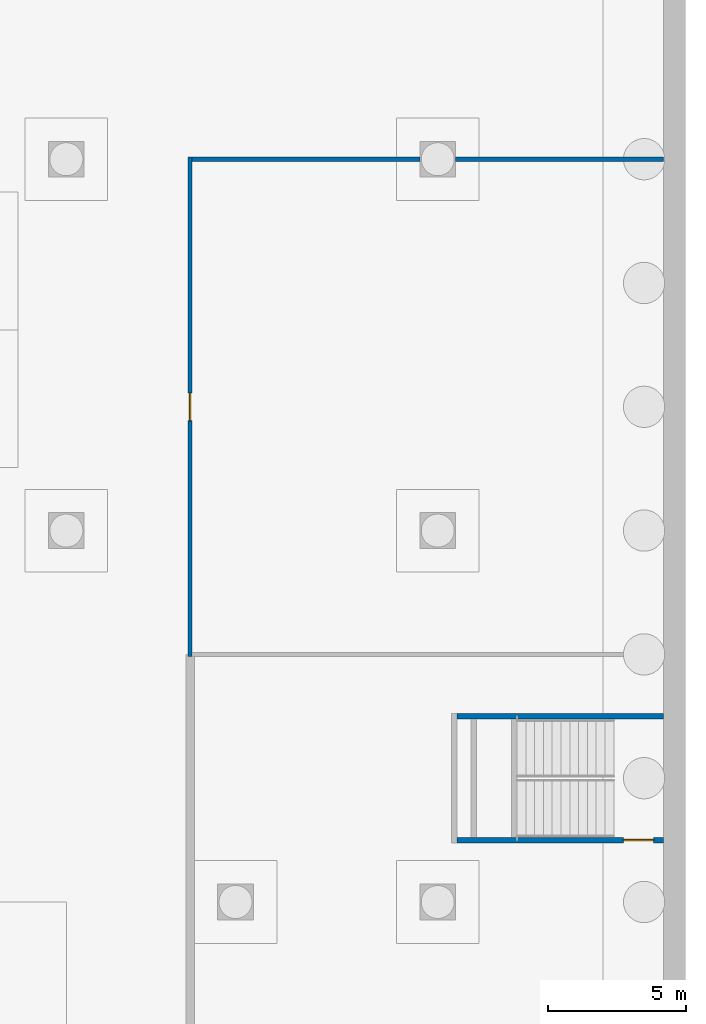
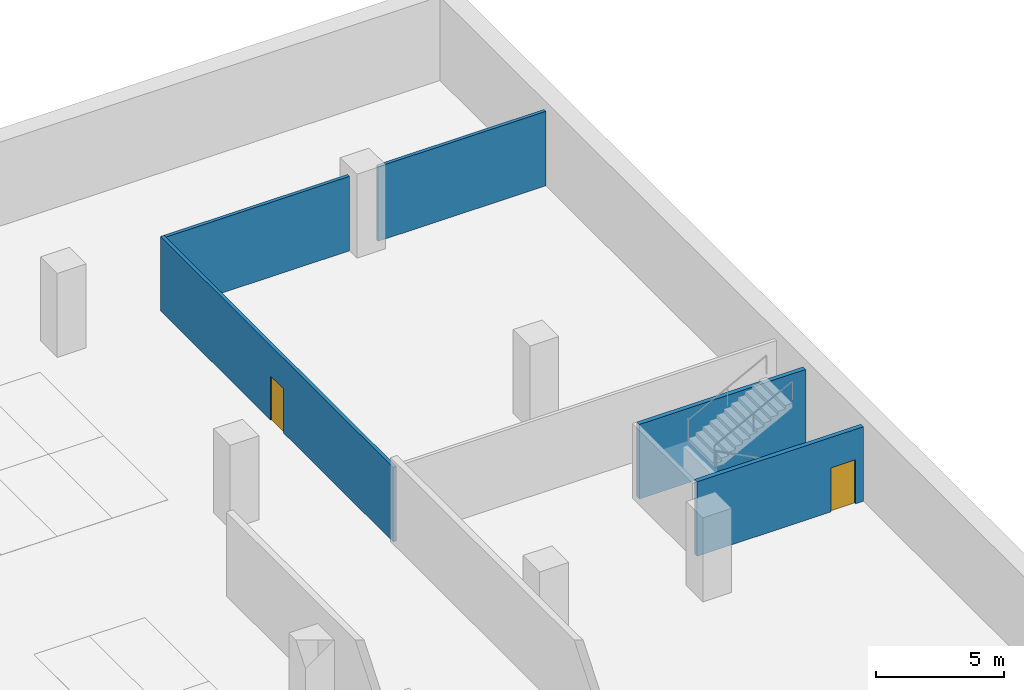
# One storey, part 16 of 40: 5 walls, 2 doors, 2 openings.
"""IFC4 building model written with IfcOpenShell, lengths in metres."""

from ifc_helpers import new_model, si_unit, direction, frame, frame_2d, origin, place, context, subcontext, project, spatial, rectangle, extrude, material, layer, layer_set, type_object, element, fill, save


model = new_model("IFC4")

# Units and contexts
model_context = context("Model", 3, precision=1e-05, world=origin(), true_north=direction((0.0, 1.0)))
body_context = subcontext(model_context, "Body", "Model", "MODEL_VIEW")
ifc_project = project(units=[si_unit("LENGTHUNIT", "METRE"), si_unit("AREAUNIT", "SQUARE_METRE"), si_unit("VOLUMEUNIT", "CUBIC_METRE"), si_unit("PLANEANGLEUNIT", "RADIAN"), si_unit("MASSUNIT", "GRAM", prefix="KILO")], contexts=[model_context])

# Site, building, storey
site_placement = place(None, origin())
site = spatial("IfcSite", under=ifc_project, at=site_placement, CompositionType="ELEMENT")
building_placement = place(site_placement, origin())
building = spatial("IfcBuilding", under=site, at=building_placement, Name="Altepetl Exchange Towers", CompositionType="ELEMENT")
storey_placement = place(building_placement, frame((0.0, 0.0, -8.0)))
storey = spatial("IfcBuildingStorey", under=building, at=storey_placement, Name="B2 Basement parking", CompositionType="ELEMENT", Elevation=-8.0)

# Wall, opening, door
ifc_material_1 = material(Name="Gypsum board on steel studs", Category="steel")
ifc_layer_1 = layer(ifc_material_1, 0.14990234375)
ifc_layer_set_1 = layer_set([ifc_layer_1], Name="Gypsum board on steel studs")
wall_type_1 = type_object("IfcWallType", Name="Podium partition 150", PredefinedType="PARTITIONING", material=ifc_layer_set_1)
wall_1_placement = place(storey_placement, frame((135.0, 71.925048828125, 0.0), z_axis=(0.0, 0.0, 1.0), x_axis=(0.0, 1.0, 0.0)))
wall_1 = element("IfcWall", 1, at=wall_1_placement, inside=storey, type_object=wall_type_1, Name="wall:P:B2:P025", PredefinedType="PARTITIONING", context=body_context, shape_type="SweptSolid", body=[
    extrude(rectangle(XDim=18.14990234375, YDim=0.14990234375, at=frame_2d((9.074951171875, 0.0))), origin(), (0.0, 0.0, 1.0), 3.550048828125),
])
opening_1_placement = place(wall_1_placement, frame((8.574951171875, 0.0, 0.0)))
opening_1 = element("IfcOpeningElement", 2, at=opening_1_placement, cuts=wall_1, Name="Opening B2.P009", PredefinedType="OPENING", context=body_context, shape_type="SweptSolid", body=[
    extrude(rectangle(XDim=1.0, YDim=2.10009765625, at=frame_2d((0.5, 1.050048828125))), frame((0.0, 0.0849609375, 0.0), z_axis=(0.0, -1.0, 0.0), x_axis=(1.0, 0.0, 0.0)), (0.0, 0.0, 1.0), 0.169921875),
])
ifc_material_2 = material(Name="Steel and timber fire door", Category="steel")
door_type_1 = type_object("IfcDoorType", Name="Podium fire door 1000 x 2100 single leaf", OperationType="SINGLE_SWING_LEFT", PredefinedType="DOOR", material=ifc_material_2)
door_1_placement = place(opening_1_placement, frame((1.0, 0.0, 0.0), x_axis=(-1.0, 0.0, 0.0)))
door_1 = element("IfcDoor", 3, at=door_1_placement, inside=storey, type_object=door_type_1, Name="door:P:B2:009", OperationType="SINGLE_SWING_LEFT", OverallHeight=2.10009765625, OverallWidth=1.0, PredefinedType="DOOR", context=body_context, shape_type="SweptSolid", body=[
    extrude(rectangle(XDim=1.0, YDim=2.10009765625, at=frame_2d((0.5, 1.050048828125))), frame((0.0, 0.02490234375, 0.0), z_axis=(0.0, -1.0, 0.0), x_axis=(1.0, 0.0, 0.0)), (0.0, 0.0, 1.0), 0.050048828125),
])
fill(opening_1, door_1)

# Walls
wall_2_placement = place(storey_placement, frame((135.074951171875, 90.0, 0.0)))
element("IfcWall", 4, at=wall_2_placement, inside=storey, type_object=wall_type_1, Name="wall:P:B2:P026", PredefinedType="PARTITIONING", context=body_context, shape_type="SweptSolid", body=[
    extrude(rectangle(XDim=8.280029296875, YDim=0.14990234375, at=frame_2d((4.14013671875, 0.0))), origin(), (0.0, 0.0, 1.0), 3.550048828125),
])
wall_3_placement = place(storey_placement, frame((144.64501953125, 90.0, 0.0)))
element("IfcWall", 5, at=wall_3_placement, inside=storey, type_object=wall_type_1, Name="wall:P:B2:P027", PredefinedType="PARTITIONING", context=body_context, shape_type="SweptSolid", body=[
    extrude(rectangle(XDim=7.554931640625, YDim=0.14990234375, at=frame_2d((3.77734375, 0.0))), origin(), (0.0, 0.0, 1.0), 3.550048828125),
])

# Wall, opening, door
ifc_material_3 = material(Name="Reinforced concrete C35/45", Category="concrete")
ifc_layer_2 = layer(ifc_material_3, 0.199951171875)
ifc_layer_set_2 = layer_set([ifc_layer_2], Name="Reinforced concrete C35/45")
wall_type_2 = type_object("IfcWallType", Name="Stair enclosure wall 200", PredefinedType="SOLIDWALL", material=ifc_layer_set_2)
wall_4_placement = place(storey_placement, frame((144.699951171875, 65.25, 0.0)))
wall_4 = element("IfcWall", 6, at=wall_4_placement, inside=storey, type_object=wall_type_2, Name="wall:P:B2:P078", PredefinedType="SOLIDWALL", context=body_context, shape_type="SweptSolid", body=[
    extrude(rectangle(XDim=7.5, YDim=0.199951171875, at=frame_2d((3.75, 0.0))), origin(), (0.0, 0.0, 1.0), 3.550048828125),
])
opening_2_placement = place(wall_4_placement, frame((6.050048828125, 0.0, 0.0)))
opening_2 = element("IfcOpeningElement", 7, at=opening_2_placement, cuts=wall_4, Name="Opening B2.P019", PredefinedType="OPENING", context=body_context, shape_type="SweptSolid", body=[
    extrude(rectangle(XDim=1.10009765625, YDim=2.10009765625, at=frame_2d((0.550048828125, 1.050048828125))), frame((0.0, 0.10986328125, 0.0), z_axis=(0.0, -1.0, 0.0), x_axis=(1.0, 0.0, 0.0)), (0.0, 0.0, 1.0), 0.219970703125),
])
ifc_material_4 = material(Name="Steel fire door", Category="steel")
door_type_2 = type_object("IfcDoorType", Name="Podium fire door 1100 x 2100 single leaf", OperationType="SINGLE_SWING_LEFT", PredefinedType="DOOR", material=ifc_material_4)
door_2_placement = place(opening_2_placement, origin())
door_2 = element("IfcDoor", 8, at=door_2_placement, inside=storey, type_object=door_type_2, Name="door:P:B2:019", OperationType="SINGLE_SWING_RIGHT", OverallHeight=2.10009765625, OverallWidth=1.10009765625, PredefinedType="DOOR", context=body_context, shape_type="SweptSolid", body=[
    extrude(rectangle(XDim=1.10009765625, YDim=2.10009765625, at=frame_2d((0.550048828125, 1.050048828125))), frame((0.0, 0.02490234375, 0.0), z_axis=(0.0, -1.0, 0.0), x_axis=(1.0, 0.0, 0.0)), (0.0, 0.0, 1.0), 0.050048828125),
])
fill(opening_2, door_2)

# Wall
wall_5_placement = place(storey_placement, frame((144.699951171875, 69.75, 0.0)))
element("IfcWall", 9, at=wall_5_placement, inside=storey, type_object=wall_type_2, Name="wall:P:B2:P079", PredefinedType="SOLIDWALL", context=body_context, shape_type="SweptSolid", body=[
    extrude(rectangle(XDim=7.5, YDim=0.199951171875, at=frame_2d((3.75, 0.0))), origin(), (0.0, 0.0, 1.0), 3.550048828125),
])

save(model, "model.ifc")
